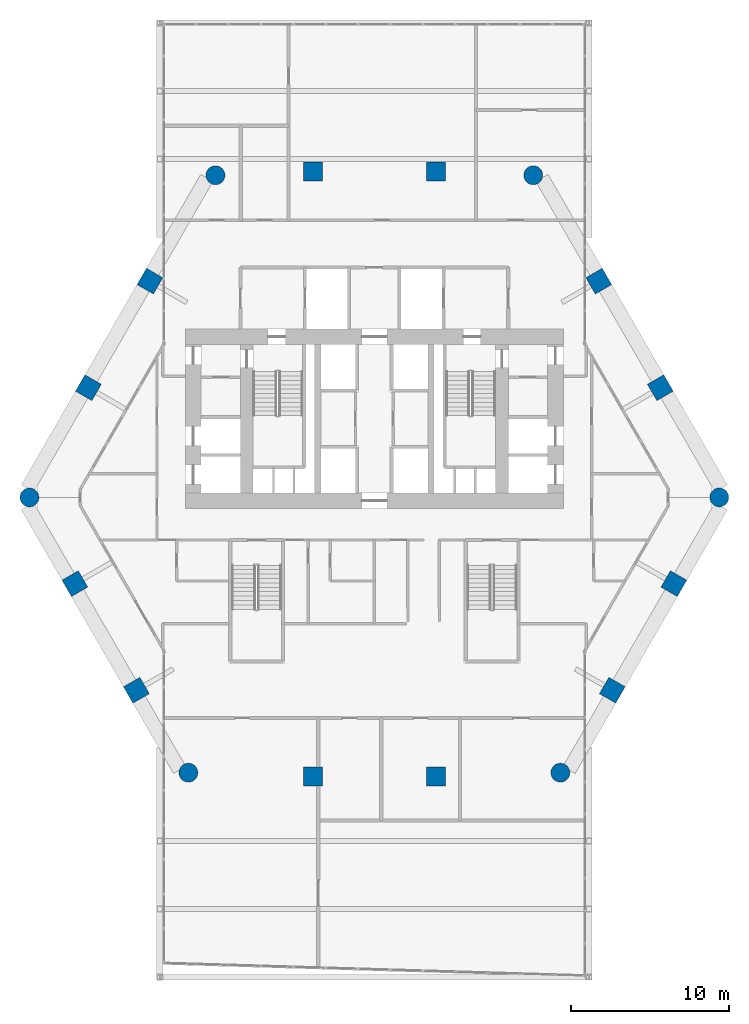
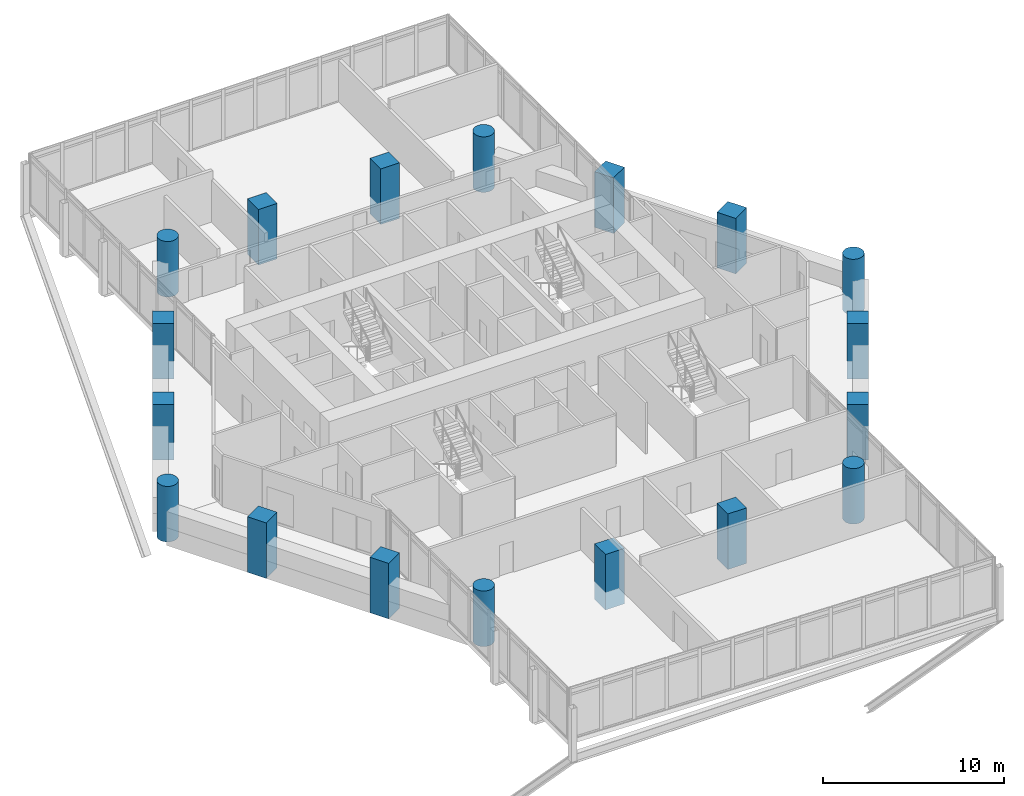
# One storey, part 1 of 37: 18 columns.
"""IFC4 building model written with IfcOpenShell, lengths in metres."""

import ifcopenshell
import ifcopenshell.guid

model = None  # the IFC model being written
_history = None  # IfcOwnerHistory: only IFC2X3 demands one
_inside = {}  # id of a spatial element -> (the spatial element, [elements in it])
_under = {}  # id of a project, library or spatial element -> (it, [spatial elements below it])
_declared = {}  # id of a project -> (the project, [libraries it declares])
_typed = {}  # id of a type object -> (the type object, [elements of that type])
_made_of = {}  # id of a material, layer set ... -> (it, [elements and type objects made of it])


def new_model(schema):
    """Start an empty IFC model of exactly this schema.

    Asked for "IFC4X3", IfcOpenShell would pick the latest addendum, in which some entities
    have other attributes; the version numbers below select the first issue.
    IFC2X3 requires an IfcOwnerHistory on every rooted entity: one is made here for all.
    """
    global model, _history
    if schema == "IFC4X3":
        model = ifcopenshell.file(schema_version=(4, 3, 0, 0))
    else:
        model = ifcopenshell.file(schema=schema)
    _inside.clear()
    _under.clear()
    _declared.clear()
    _typed.clear()
    _made_of.clear()
    _history = None
    if model.schema == "IFC2X3":
        org = make("IfcOrganization", Name="unknown")
        user = make(
            "IfcPersonAndOrganization",
            ThePerson=make("IfcPerson", FamilyName="unknown"),
            TheOrganization=org,
        )
        app = make(
            "IfcApplication",
            ApplicationDeveloper=org,
            Version="unknown",
            ApplicationFullName="unknown",
            ApplicationIdentifier="unknown",
        )
        _history = make(
            "IfcOwnerHistory",
            OwningUser=user,
            OwningApplication=app,
            ChangeAction="ADDED",
            CreationDate=0,
        )
    return model


def make(cls, **values):
    """One entity of the class cls with the attributes given. An attribute that is None is left unset."""
    return model.create_entity(
        cls, **{name: value for name, value in values.items() if value is not None}
    )


def rooted(cls, **values):
    """An entity with a GlobalId (a new one), such as an element, a storey or a relation."""
    return make(cls, GlobalId=ifcopenshell.guid.new(), OwnerHistory=_history, **values)


def si_unit(unit_type, name, prefix=None):
    """IfcSIUnit, for example si_unit("LENGTHUNIT", "METRE", prefix="MILLI")."""
    return make("IfcSIUnit", UnitType=unit_type, Prefix=prefix, Name=name)


def assignment(units):
    """IfcUnitAssignment: the units of a project."""
    return None if units is None else make("IfcUnitAssignment", Units=units)


def point(xyz):
    """IfcCartesianPoint."""
    return None if xyz is None else make("IfcCartesianPoint", Coordinates=xyz)


def direction(xyz):
    """IfcDirection."""
    return None if xyz is None else make("IfcDirection", DirectionRatios=xyz)


def frame(location, z_axis=None, x_axis=None):
    """IfcAxis2Placement3D, a coordinate frame: its origin and axes. An axis left out is left unset."""
    return make(
        "IfcAxis2Placement3D",
        Location=point(location),
        Axis=direction(z_axis),
        RefDirection=direction(x_axis),
    )


def frame_2d(location, x_axis=None):
    """IfcAxis2Placement2D, a coordinate frame in the plane: its origin and x axis."""
    return make(
        "IfcAxis2Placement2D", Location=point(location), RefDirection=direction(x_axis)
    )


def origin():
    """The frame at (0, 0, 0) with its axes left unset."""
    return frame((0.0, 0.0, 0.0))


def origin_2d():
    """The frame at (0, 0) in the plane with its x axis left unset."""
    return frame_2d((0.0, 0.0))


def place(relative_to, where):
    """IfcLocalPlacement: puts the frame where relative to a parent placement (None: the world)."""
    return make(
        "IfcLocalPlacement", PlacementRelTo=relative_to, RelativePlacement=where
    )


def context(
    kind, dimensions, precision=None, world=None, true_north=None, identifier=None
):
    """IfcGeometricRepresentationContext, for example the 3D "Model" context."""
    return make(
        "IfcGeometricRepresentationContext",
        ContextIdentifier=identifier,
        ContextType=kind,
        CoordinateSpaceDimension=dimensions,
        Precision=precision,
        WorldCoordinateSystem=world,
        TrueNorth=true_north,
    )


def subcontext(parent, identifier, kind, view, scale=None):
    """IfcGeometricRepresentationSubContext, for example "Body" below "Model"."""
    return make(
        "IfcGeometricRepresentationSubContext",
        ContextIdentifier=identifier,
        ContextType=kind,
        ParentContext=parent,
        TargetScale=scale,
        TargetView=view,
    )


def project(units=None, contexts=None):
    """IfcProject with its units and contexts."""
    return rooted(
        "IfcProject",
        Name="project",
        RepresentationContexts=contexts,
        UnitsInContext=assignment(units),
    )


def spatial(cls, under=None, at=None, **own):
    """A site, building, storey or space (cls), placed at a placement, below another one or the project."""
    s = rooted(cls, ObjectPlacement=at, **own)
    if under is not None:
        _under.setdefault(under.id(), (under, []))[1].append(s)
    return s


def profile(cls, at=None, kind="AREA", **sizes):
    """A parametric profile (cls). Its sizes go by their IFC names, for example OverallWidth=200.0."""
    return make(cls, ProfileType=kind, Position=at, **sizes)


def rectangle(**sizes):
    """IfcRectangleProfileDef."""
    return profile("IfcRectangleProfileDef", **sizes)


def circle(**sizes):
    """IfcCircleProfileDef."""
    return profile("IfcCircleProfileDef", **sizes)


def extrude(swept, where, along, depth):
    """IfcExtrudedAreaSolid: the profile swept, set in the frame where, extruded along a direction by depth."""
    return make(
        "IfcExtrudedAreaSolid",
        SweptArea=swept,
        Position=where,
        ExtrudedDirection=direction(along),
        Depth=depth,
    )


def shape(context_of_items, identifier, shape_type, items):
    """IfcShapeRepresentation: the items that make up one representation, for example the "Body"."""
    return make(
        "IfcShapeRepresentation",
        ContextOfItems=context_of_items,
        RepresentationIdentifier=identifier,
        RepresentationType=shape_type,
        Items=items,
    )


def material(Name=None, Category=None):
    """IfcMaterial."""
    return make("IfcMaterial", Name=Name, Category=Category)


def material_profile(
    of_material, cross_section, Name=None, Category=None, Priority=None
):
    """IfcMaterialProfile: a cross section and its material."""
    return make(
        "IfcMaterialProfile",
        Name=Name,
        Material=of_material,
        Profile=cross_section,
        Priority=Priority,
        Category=Category,
    )


def profile_set(profiles, Name=None, composite=None):
    """IfcMaterialProfileSet."""
    return make(
        "IfcMaterialProfileSet",
        Name=Name,
        MaterialProfiles=profiles,
        CompositeProfile=composite,
    )


def made_of(thing, what):
    """Note that an element or type object is made of a material, layer set ...; save() writes the relation."""
    if what is not None:
        _made_of.setdefault(what.id(), (what, []))[1].append(thing)
    return thing


def type_object(cls, material=None, **own):
    """A type object (cls), such as IfcWallType, which elements share."""
    return made_of(rooted(cls, **own), material)


def element(
    cls,
    number,
    at=None,
    inside=None,
    cuts=None,
    type_object=None,
    material=None,
    context=None,
    identifier="Body",
    shape_type=None,
    held_by="IfcProductDefinitionShape",
    body=None,
    shapes=None,
    **own,
):
    """One element of the class cls, such as IfcWall. Its Tag is "e" and its number.

    at: its placement. inside: the storey or other place that contains it. cuts: it is an
    opening in that element (IfcRelVoidsElement). A single representation is given by context,
    identifier, shape_type and body (its items); several are given by shapes. held_by: the class
    of the entity that holds the representations. save() writes the other relations.
    """
    e = rooted(cls, Tag="e%d" % number, ObjectPlacement=at, **own)
    if body is not None:
        shapes = [shape(context, identifier, shape_type, body)]
    if shapes is not None:
        e.Representation = make(held_by, Representations=shapes)
    if inside is not None:
        _inside.setdefault(inside.id(), (inside, []))[1].append(e)
    if cuts is not None:
        rooted(
            "IfcRelVoidsElement", RelatingBuildingElement=cuts, RelatedOpeningElement=e
        )
    if type_object is not None:
        _typed.setdefault(type_object.id(), (type_object, []))[1].append(e)
    return made_of(e, material)


def aggregate(whole, parts):
    """IfcRelAggregates: a whole, such as a stair, and the parts it consists of."""
    return rooted("IfcRelAggregates", RelatingObject=whole, RelatedObjects=parts)


def save(model, path):
    """Write the relations noted so far, then the file.

    IfcRelAggregates (storeys below a building ...), IfcRelContainedInSpatialStructure (elements
    in a storey), IfcRelDefinesByType, IfcRelAssociatesMaterial and IfcRelDeclares: one each for
    every whole, place, type object, material and project.
    """
    for whole, parts in _under.values():
        aggregate(whole, parts)
    for where, things in _inside.values():
        rooted(
            "IfcRelContainedInSpatialStructure",
            RelatedElements=things,
            RelatingStructure=where,
        )
    for kind, things in _typed.values():
        rooted("IfcRelDefinesByType", RelatedObjects=things, RelatingType=kind)
    for what, things in _made_of.values():
        rooted("IfcRelAssociatesMaterial", RelatedObjects=things, RelatingMaterial=what)
    for by, libraries in _declared.values():
        rooted("IfcRelDeclares", RelatingContext=by, RelatedDefinitions=libraries)
    model.write(path)


model = new_model("IFC4")

# Units and contexts
model_context = context("Model", 3, precision=1e-05, world=origin(), true_north=direction((0.0, 1.0)))
body_context = subcontext(model_context, "Body", "Model", "MODEL_VIEW")
ifc_project = project(units=[si_unit("LENGTHUNIT", "METRE"), si_unit("AREAUNIT", "SQUARE_METRE"), si_unit("VOLUMEUNIT", "CUBIC_METRE"), si_unit("PLANEANGLEUNIT", "RADIAN"), si_unit("MASSUNIT", "GRAM", prefix="KILO")], contexts=[model_context])

# Site, building, storey
site_placement = place(None, origin())
site = spatial("IfcSite", under=ifc_project, at=site_placement, CompositionType="ELEMENT")
building_placement = place(site_placement, origin())
building = spatial("IfcBuilding", under=site, at=building_placement, Name="Ostrander Bayou Hotel Tower", CompositionType="ELEMENT")
storey_placement = place(building_placement, frame((0.0, 0.0, 131.0)))
storey = spatial("IfcBuildingStorey", under=building, at=storey_placement, Name="L32", CompositionType="ELEMENT", Elevation=131.0)

# Columns
ifc_material_1 = material(Name="Concrete f'c 70 MPa", Category="concrete")
ifc_material_profile_1 = material_profile(ifc_material_1, circle(Radius=0.60009765625, at=origin_2d()))
ifc_profile_set_1 = profile_set([ifc_material_profile_1], Name="Concrete f'c 70 MPa")
column_type_1 = type_object("IfcColumnType", Name="C3 round column 1200 mm f'c 70 MPa", PredefinedType="COLUMN", material=ifc_profile_set_1)
for number, where, z_axis, x_axis, name in (
    (1, (-10.088134765625, 19.458740234375, -1.199951171875), (0.0, 0.0, 1.0), (1.0, 0.0, 0.0), "C3 L32 K0"),
    (2, (-21.89599609375, -0.992919921875, -1.199951171875), (0.0, 0.0, 1.0), (1.0, 0.0, 0.0), "C3 L32 K1"),
    (3, (-11.807861328125, -18.466064453125, -1.199951171875), (0.0, 0.0, 1.0), (1.0, 0.0, 0.0), "C3 L32 K2"),
    (4, (11.807861328125, -18.466064453125, -1.199951171875), (0.0, 0.0, 1.0), (1.0, 0.0, 0.0), "C3 L32 K3"),
    (5, (21.89599609375, -0.992919921875, -1.199951171875), (0.0, 0.0, 1.0), (1.0, 0.0, 0.0), "C3 L32 K4"),
    (6, (10.088134765625, 19.458740234375, -1.199951171875), (0.0, 0.0, 1.0), (1.0, 0.0, 0.0), "C3 L32 K5"),
):
    element("IfcColumn", number, at=place(storey_placement, frame(where, z_axis=z_axis, x_axis=x_axis)), inside=storey, type_object=column_type_1, Name=name, PredefinedType="COLUMN", context=body_context, shape_type="SweptSolid", body=[
        extrude(circle(Radius=0.60009765625, at=origin_2d()), origin(), (0.0, 0.0, 1.0), 3.75),
    ])
ifc_material_2 = material(Name="Concrete f'c 70 MPa", Category="concrete")
ifc_material_profile_2 = material_profile(ifc_material_2, rectangle(XDim=1.199951171875, YDim=1.199951171875, at=origin_2d()))
ifc_profile_set_2 = profile_set([ifc_material_profile_2], Name="Concrete f'c 70 MPa")
column_type_2 = type_object("IfcColumnType", Name="C4 square column 1200 x 1200 mm f'c 70 MPa", PredefinedType="COLUMN", material=ifc_profile_set_2)
for number, where, z_axis, x_axis, name in (
    (7, (3.90673828125, 19.699951171875, -1.199951171875), (0.0, 0.0, 1.0), (1.0, 0.0, 0.0), "C4 L32 N1"),
    (8, (-3.90673828125, 19.699951171875, -1.199951171875), (0.0, 0.0, 1.0), (1.0, 0.0, 0.0), "C4 L32 N2"),
    (9, (-14.24755859375, 12.73681640625, -1.199951171875), (0.0, 0.0, 1.0), (0.5, 0.866025403784, 0.0), "C4 L32 NW1"),
    (10, (-18.154296875, 5.97021484375, -1.199951171875), (0.0, 0.0, 1.0), (0.5, 0.866025403784, 0.0), "C4 L32 NW2"),
    (11, (-19.01416015625, -6.466796875, -1.199951171875), (0.0, 0.0, 1.0), (-0.5, 0.866025403784, 0.0), "C4 L32 SW1"),
    (12, (-15.107421875, -13.2333984375, -1.199951171875), (0.0, 0.0, 1.0), (-0.5, 0.866025403784, 0.0), "C4 L32 SW2"),
    (13, (-3.90673828125, -18.707275390625, -1.199951171875), (0.0, 0.0, 1.0), (-1.0, 0.0, 0.0), "C4 L32 S1"),
    (14, (3.90673828125, -18.707275390625, -1.199951171875), (0.0, 0.0, 1.0), (-1.0, 0.0, 0.0), "C4 L32 S2"),
    (15, (15.107421875, -13.2333984375, -1.199951171875), (0.0, 0.0, 1.0), (-0.5, -0.866025403784, 0.0), "C4 L32 SE1"),
    (16, (19.01416015625, -6.466796875, -1.199951171875), (0.0, 0.0, 1.0), (-0.5, -0.866025403784, 0.0), "C4 L32 SE2"),
    (17, (18.154296875, 5.97021484375, -1.199951171875), (0.0, 0.0, 1.0), (0.5, -0.866025403784, 0.0), "C4 L32 NE1"),
    (18, (14.24755859375, 12.73681640625, -1.199951171875), (0.0, 0.0, 1.0), (0.5, -0.866025403784, 0.0), "C4 L32 NE2"),
):
    element("IfcColumn", number, at=place(storey_placement, frame(where, z_axis=z_axis, x_axis=x_axis)), inside=storey, type_object=column_type_2, Name=name, PredefinedType="COLUMN", context=body_context, shape_type="SweptSolid", body=[
        extrude(rectangle(XDim=1.199951171875, YDim=1.199951171875, at=origin_2d()), origin(), (0.0, 0.0, 1.0), 3.75),
    ])

save(model, "model.ifc")
